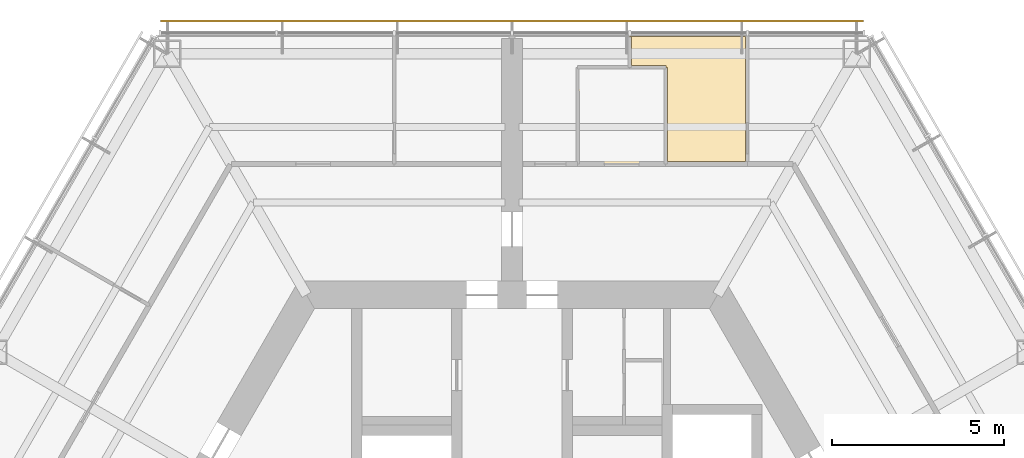
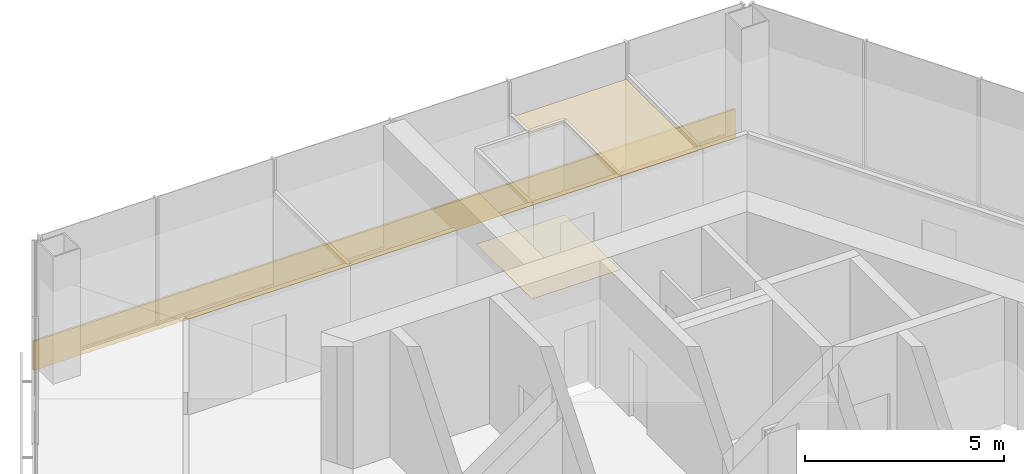
# One storey, part 13 of 13: 2 coverings, 1 shading device.
"""IFC4 building model written with IfcOpenShell, lengths in metres."""

from ifc_helpers import new_model, si_unit, direction, frame, origin, origin_2d, place, context, subcontext, project, spatial, polyline, rectangle, outline, extrude, material, layer, layer_set, type_object, element, save


model = new_model("IFC4")

# Units and contexts
model_context = context("Model", 3, precision=1e-05, world=origin(), true_north=direction((0.0, 1.0)))
body_context = subcontext(model_context, "Body", "Model", "MODEL_VIEW")
ifc_project = project(units=[si_unit("LENGTHUNIT", "METRE"), si_unit("AREAUNIT", "SQUARE_METRE"), si_unit("VOLUMEUNIT", "CUBIC_METRE"), si_unit("PLANEANGLEUNIT", "RADIAN"), si_unit("MASSUNIT", "GRAM", prefix="KILO")], contexts=[model_context])

# Site, building, storey
site_placement = place(None, origin())
site = spatial("IfcSite", under=ifc_project, at=site_placement, CompositionType="ELEMENT")
building_placement = place(site_placement, origin())
building = spatial("IfcBuilding", under=site, at=building_placement, Name="Kasaneha Research Tower", CompositionType="ELEMENT")
storey_placement = place(building_placement, frame((0.0, 0.0, 286.89990234375)))
storey = spatial("IfcBuildingStorey", under=building, at=storey_placement, Name="L72", CompositionType="ELEMENT", Elevation=286.89990234375)

# Covering
ifc_material_1 = material(Name="Gypsum ceiling board", Category="gypsum")
ifc_layer_1 = layer(ifc_material_1, 0.02001953125)
ifc_layer_set_1 = layer_set([ifc_layer_1], Name="Suspended ceiling 20")
covering_type_1 = type_object("IfcCoveringType", Name="Suspended ceiling 20", PredefinedType="CEILING", material=ifc_layer_set_1)
covering_1_placement = place(storey_placement, frame((0.0, 0.0, 2.800048828125)))
element("IfcCovering", 1, at=covering_1_placement, inside=storey, type_object=covering_type_1, Name="Ceiling L72-27", PredefinedType="CEILING", context=body_context, shape_type="SweptSolid", body=[
    extrude(outline(polyline([(6.8310546875, 17.800537109375), (6.781005859375, 17.800537109375), (6.776611328125, 14.199951171875), (4.510009765625, 14.199951171875), (4.514892578125, 16.9248046875), (4.465087890625, 16.925048828125), (4.465087890625, 16.97509765625), (3.47021484375, 16.97509765625), (3.465576171875, 17.80078125), (3.41552734375, 17.800537109375), (3.41552734375, 17.820556640625), (6.8310546875, 17.820556640625), (6.8310546875, 17.800537109375)])), origin(), (0.0, 0.0, 1.0), 0.02001953125),
])

# Shading device
ifc_material_2 = material(Name="Terracotta", Category="masonry")
ifc_layer_2 = layer(ifc_material_2, 0.06005859375)
ifc_layer_set_2 = layer_set([ifc_layer_2], Name="Terracotta baguette screen")
shading_device_type = type_object("IfcShadingDeviceType", Name="Terracotta baguette screen", PredefinedType="USERDEFINED", material=ifc_layer_set_2)
shading_device_placement = place(storey_placement, frame((0.0, 18.2705078125, -0.449951171875), z_axis=(0.0, 0.0, 1.0), x_axis=(-1.0, 0.0, 0.0)))
element("IfcShadingDevice", 2, at=shading_device_placement, inside=storey, type_object=shading_device_type, Name="Baguette screen L72 02", ObjectType="TERRACOTTA BAGUETTE SCREEN", PredefinedType="USERDEFINED", context=body_context, shape_type="SweptSolid", body=[
    extrude(rectangle(XDim=20.392822265625, YDim=0.06005859375, at=origin_2d()), origin(), (0.0, 0.0, 1.0), 0.89990234375),
])

# Covering
ifc_material_3 = material(Name="Vinyl sheet flooring", Category="plastic")
ifc_layer_3 = layer(ifc_material_3, 0.0048828125)
ifc_layer_set_3 = layer_set([ifc_layer_3], Name="Wet room sheet flooring 5")
covering_type_2 = type_object("IfcCoveringType", Name="Wet room sheet flooring 5", PredefinedType="FLOORING", material=ifc_layer_set_3)
covering_2_placement = place(storey_placement, origin())
element("IfcCovering", 3, at=covering_2_placement, inside=storey, type_object=covering_type_2, Name="Floor finish L72-25", PredefinedType="FLOORING", context=body_context, shape_type="SweptSolid", body=[
    extrude(outline(polyline([(1.89990234375, 16.925048828125), (4.465087890625, 16.925048828125), (4.465087890625, 14.125), (1.89990234375, 14.125), (1.89990234375, 16.925048828125)])), origin(), (0.0, 0.0, 1.0), 0.005126953125),
])

save(model, "model.ifc")
